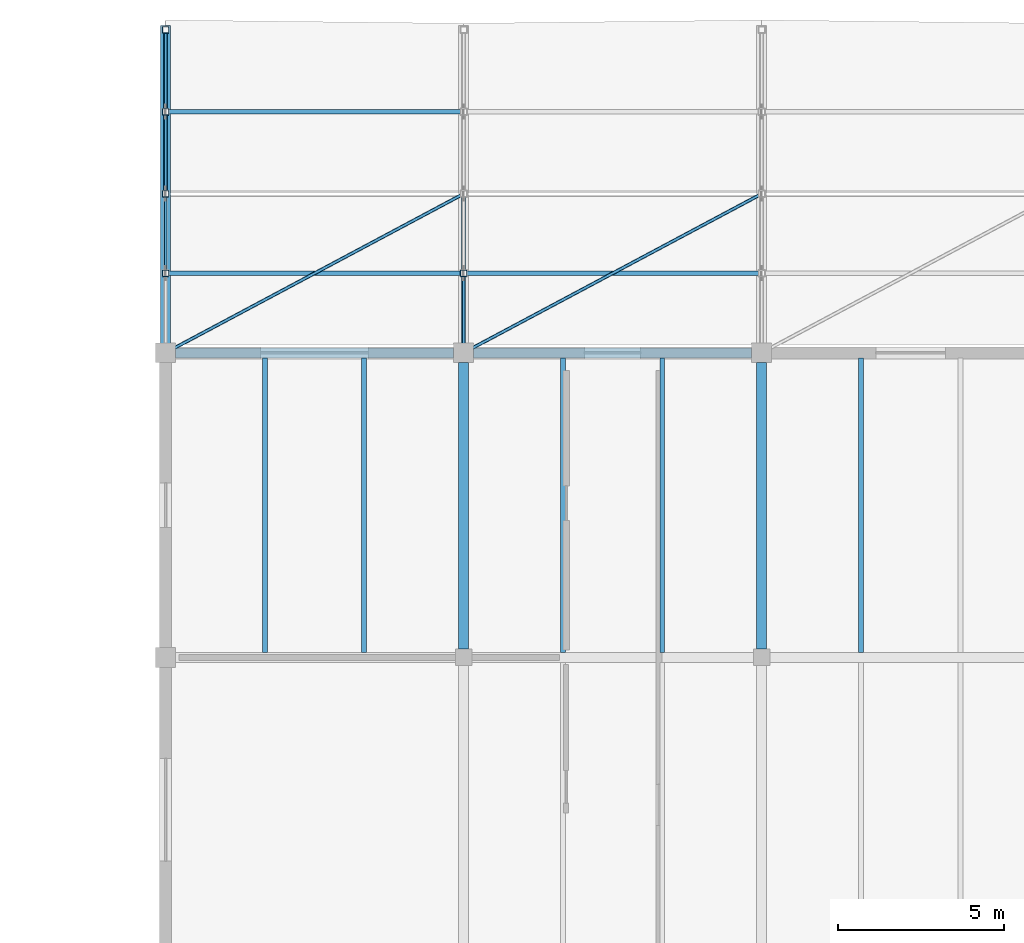
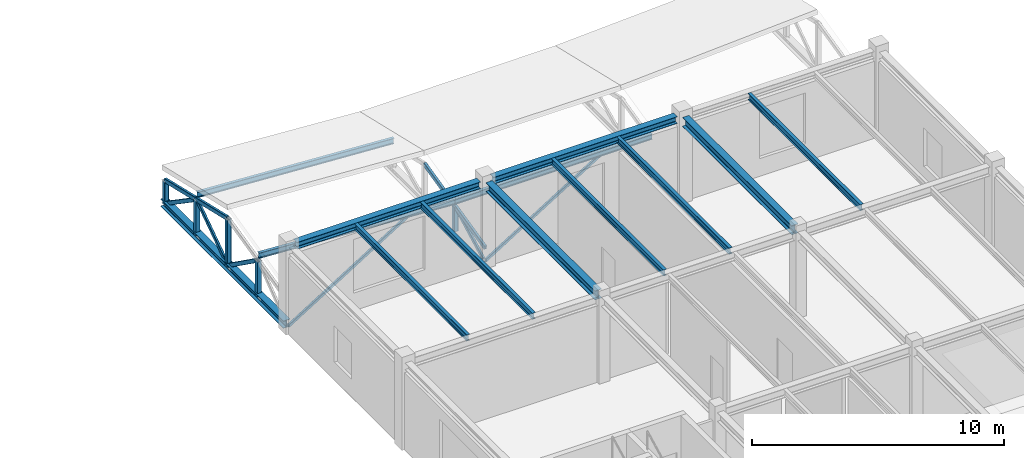
# One storey, part 25 of 55: 16 members, 10 beams.
"""IFC4 building model written with IfcOpenShell, lengths in metres."""

from ifc_helpers import new_model, si_unit, direction, frame, origin, origin_2d, place, context, subcontext, project, spatial, hollow_rectangle, i_section, extrude, material, material_profile, profile_set, type_object, element, save


model = new_model("IFC4")

# Units and contexts
model_context = context("Model", 3, precision=1e-05, world=origin(), true_north=direction((0.0, 1.0)))
body_context = subcontext(model_context, "Body", "Model", "MODEL_VIEW")
ifc_project = project(units=[si_unit("LENGTHUNIT", "METRE"), si_unit("AREAUNIT", "SQUARE_METRE"), si_unit("VOLUMEUNIT", "CUBIC_METRE"), si_unit("PLANEANGLEUNIT", "RADIAN"), si_unit("MASSUNIT", "GRAM", prefix="KILO")], contexts=[model_context])

# Site, building, storey
site_placement = place(None, origin())
site = spatial("IfcSite", under=ifc_project, at=site_placement, CompositionType="ELEMENT")
building_placement = place(site_placement, origin())
building = spatial("IfcBuilding", under=site, at=building_placement, Name="Bozkorgan Art Gallery", CompositionType="ELEMENT")
storey_placement = place(building_placement, frame((0.0, 0.0, 15.0)))
storey = spatial("IfcBuildingStorey", under=building, at=storey_placement, Name="L03", CompositionType="ELEMENT", Elevation=15.0)

# Beams
ifc_material = material(Name="Steel S355J2", Category="steel")
ifc_material_profile_1 = material_profile(ifc_material, i_section(OverallWidth=0.300048828125, OverallDepth=0.43994140625, WebThickness=0.011474609375, FlangeThickness=0.02099609375, FilletRadius=0.027099609375, at=origin_2d()), Name="HEA 450")
ifc_profile_set_1 = profile_set([ifc_material_profile_1], Name="Steel S355J2")
beam_type_1 = type_object("IfcBeamType", Name="BEAM-BM-76", PredefinedType="BEAM", material=ifc_profile_set_1)
for number, where, z_axis, x_axis, name in (
    (1, (146.0, 93.85009765625, 3.9599609375), (0.0, 1.0, 0.0), (-1.0, 0.0, 0.0), "V5 L03 beam Y (146, 93.6-102.8)"),
    (2, (155.0, 93.85009765625, 3.9599609375), (0.0, 1.0, 0.0), (-1.0, 0.0, 0.0), "V5 L03 beam Y (155, 93.6-102.8)"),
):
    element("IfcBeam", number, at=place(storey_placement, frame(where, z_axis=z_axis, x_axis=x_axis)), inside=storey, type_object=beam_type_1, Name=name, PredefinedType="BEAM", context=body_context, shape_type="SweptSolid", body=[
        extrude(i_section(OverallWidth=0.300048828125, OverallDepth=0.43994140625, WebThickness=0.011474609375, FlangeThickness=0.02099609375, FilletRadius=0.027099609375, at=origin_2d()), origin(), (0.0, 0.0, 1.0), 8.64990234375),
    ])
ifc_material_profile_2 = material_profile(ifc_material, i_section(OverallWidth=0.14990234375, OverallDepth=0.300048828125, WebThickness=0.007080078125, FlangeThickness=0.0107421875, FilletRadius=0.014892578125, at=origin_2d()), Name="IPE 300")
ifc_profile_set_2 = profile_set([ifc_material_profile_2], Name="Steel S355J2")
beam_type_2 = type_object("IfcBeamType", Name="BEAM-JS-88", PredefinedType="JOIST", material=ifc_profile_set_2)
for number, where, z_axis, x_axis, name in (
    (3, (140.0, 93.75, 4.030029296875), (0.0, 1.0, 0.0), (-1.0, 0.0, 0.0), "V5 L03 secondary joist (137-146, 93.6-102.8) #1"),
    (4, (143.0, 93.75, 4.030029296875), (0.0, 1.0, 0.0), (-1.0, 0.0, 0.0), "V5 L03 secondary joist (137-146, 93.6-102.8) #2"),
    (5, (149.0, 93.75, 4.030029296875), (0.0, 1.0, 0.0), (-1.0, 0.0, 0.0), "V5 L03 secondary joist (146-155, 93.6-102.8) #1"),
    (6, (152.0, 93.75, 4.030029296875), (0.0, 1.0, 0.0), (-1.0, 0.0, 0.0), "V5 L03 secondary joist (146-155, 93.6-102.8) #2"),
    (7, (158.0, 93.75, 4.030029296875), (0.0, 1.0, 0.0), (-1.0, 0.0, 0.0), "V5 L03 secondary joist (155-164, 93.6-102.8) #1"),
):
    element("IfcBeam", number, at=place(storey_placement, frame(where, z_axis=z_axis, x_axis=x_axis)), inside=storey, type_object=beam_type_2, Name=name, PredefinedType="JOIST", context=body_context, shape_type="SweptSolid", body=[
        extrude(i_section(OverallWidth=0.14990234375, OverallDepth=0.300048828125, WebThickness=0.007080078125, FlangeThickness=0.0107421875, FilletRadius=0.014892578125, at=origin_2d()), origin(), (0.0, 0.0, 1.0), 8.89990234375),
    ])
ifc_material_profile_3 = material_profile(ifc_material, i_section(OverallWidth=0.300048828125, OverallDepth=0.330078125, WebThickness=0.009521484375, FlangeThickness=0.0166015625, FilletRadius=0.027099609375, at=origin_2d()), Name="HEA 340")
ifc_profile_set_3 = profile_set([ifc_material_profile_3], Name="Steel S355J2")
beam_type_3 = type_object("IfcBeamType", Name="BEAM-SP-91", PredefinedType="SPANDREL", material=ifc_profile_set_3)
for number, where, z_axis, x_axis, name in (
    (8, (137.300048828125, 102.800048828125, 4.014892578125), (1.0, 0.0, 0.0), (0.0, 1.0, 0.0), "V5 L03 spandrel X (137-146, 102.8)"),
    (9, (146.300048828125, 102.800048828125, 4.014892578125), (1.0, 0.0, 0.0), (0.0, 1.0, 0.0), "V5 L03 spandrel X (146-155, 102.8)"),
):
    element("IfcBeam", number, at=place(storey_placement, frame(where, z_axis=z_axis, x_axis=x_axis)), inside=storey, type_object=beam_type_3, Name=name, PredefinedType="SPANDREL", context=body_context, shape_type="SweptSolid", body=[
        extrude(i_section(OverallWidth=0.300048828125, OverallDepth=0.330078125, WebThickness=0.009521484375, FlangeThickness=0.0166015625, FilletRadius=0.027099609375, at=origin_2d()), origin(), (0.0, 0.0, 1.0), 8.39990234375),
    ])
ifc_material_profile_4 = material_profile(ifc_material, i_section(OverallWidth=0.300048828125, OverallDepth=0.360107421875, WebThickness=0.012451171875, FlangeThickness=0.0224609375, FilletRadius=0.027099609375, at=origin_2d()), Name="HEB 360")
ifc_profile_set_4 = profile_set([ifc_material_profile_4], Name="Steel S355J2")
beam_type_4 = type_object("IfcBeamType", Name="BEAM-TB-47", PredefinedType="BEAM", material=ifc_profile_set_4)
beam_placement = place(storey_placement, frame((137.0, 102.949951171875, 0.179931640625), z_axis=(0.0, 1.0, 0.0), x_axis=(-1.0, 0.0, 0.0)))
element("IfcBeam", 10, at=beam_placement, inside=storey, type_object=beam_type_4, Name="ROOF-V5-STEP3 roof truss 1 bottom chord", PredefinedType="BEAM", context=body_context, shape_type="SweptSolid", body=[
    extrude(i_section(OverallWidth=0.300048828125, OverallDepth=0.360107421875, WebThickness=0.012451171875, FlangeThickness=0.0224609375, FilletRadius=0.027099609375, at=origin_2d()), origin(), (0.0, 0.0, 1.0), 9.739990234375),
])

# Members
ifc_material_profile_5 = material_profile(ifc_material, i_section(OverallWidth=0.135009765625, OverallDepth=0.27001953125, WebThickness=0.006591796875, FlangeThickness=0.01025390625, FilletRadius=0.014892578125, at=origin_2d()), Name="IPE 270")
ifc_profile_set_5 = profile_set([ifc_material_profile_5], Name="Steel S355J2")
member_type_1 = type_object("IfcMemberType", Name="MEMBER-PR-57", PredefinedType="PURLIN", material=ifc_profile_set_5)
for number, where, z_axis, x_axis, name in (
    (11, (137.0, 105.199951171875, 2.12939453125), (0.998287793766, 0.0, -0.058493425416), (0.0, 1.0, 0.0), "ROOF-V5-STEP3 roof purlin 1S"),
    (12, (137.0, 110.074951171875, 2.11181640625), (0.998287793766, 0.0, -0.058493425416), (0.0, 1.0, 0.0), "ROOF-V5-STEP3 roof purlin 1N"),
):
    element("IfcMember", number, at=place(storey_placement, frame(where, z_axis=z_axis, x_axis=x_axis)), inside=storey, type_object=member_type_1, Name=name, PredefinedType="PURLIN", context=body_context, shape_type="SweptSolid", body=[
        extrude(i_section(OverallWidth=0.135009765625, OverallDepth=0.27001953125, WebThickness=0.006591796875, FlangeThickness=0.01025390625, FilletRadius=0.014892578125, at=origin_2d()), origin(), (0.0, 0.0, 1.0), 9.015380859375),
    ])
member_1_placement = place(storey_placement, frame((146.0, 105.199951171875, 1.60205078125), z_axis=(1.0, 0.0, 0.0), x_axis=(0.0, 1.0, 0.0)))
element("IfcMember", 13, at=member_1_placement, inside=storey, type_object=member_type_1, Name="ROOF-V5-STEP3 roof purlin 2S", PredefinedType="PURLIN", context=body_context, shape_type="SweptSolid", body=[
    extrude(i_section(OverallWidth=0.135009765625, OverallDepth=0.27001953125, WebThickness=0.006591796875, FlangeThickness=0.01025390625, FilletRadius=0.014892578125, at=origin_2d()), origin(), (0.0, 0.0, 1.0), 9.0),
])
ifc_material_profile_6 = material_profile(ifc_material, hollow_rectangle(XDim=0.1201171875, YDim=0.199951171875, WallThickness=0.008056640625, InnerFilletRadius=0.011962890625, OuterFilletRadius=0.02001953125, at=origin_2d()), Name="RHS 200x120x8")
ifc_profile_set_6 = profile_set([ifc_material_profile_6], Name="Steel S355J2")
member_type_2 = type_object("IfcMemberType", Name="MEMBER-TC-48", PredefinedType="CHORD", material=ifc_profile_set_6)
member_2_placement = place(storey_placement, frame((137.0, 107.60009765625, 2.457275390625), z_axis=(0.0, 0.973583795397, -0.228330009722), x_axis=(-1.0, 0.0, 0.0)))
element("IfcMember", 14, at=member_2_placement, inside=storey, type_object=member_type_2, Name="ROOF-V5-STEP3 roof truss 1 north top chord", PredefinedType="CHORD", context=body_context, shape_type="SweptSolid", body=[
    extrude(hollow_rectangle(XDim=0.1201171875, YDim=0.199951171875, WallThickness=0.008056640625, InnerFilletRadius=0.011962890625, OuterFilletRadius=0.02001953125, at=origin_2d()), origin(), (0.0, 0.0, 1.0), 5.084228515625),
])
member_3_placement = place(storey_placement, frame((146.0, 102.800048828125, 0.80419921875), z_axis=(0.0, 0.973583811685, 0.228329940272), x_axis=(-1.0, 0.0, 0.0)))
element("IfcMember", 15, at=member_3_placement, inside=storey, type_object=member_type_2, Name="ROOF-V5-STEP3 roof truss 2 south top chord", PredefinedType="CHORD", context=body_context, shape_type="SweptSolid", body=[
    extrude(hollow_rectangle(XDim=0.1201171875, YDim=0.199951171875, WallThickness=0.008056640625, InnerFilletRadius=0.011962890625, OuterFilletRadius=0.02001953125, at=origin_2d()), origin(), (0.0, 0.0, 1.0), 4.93017578125),
])
ifc_material_profile_7 = material_profile(ifc_material, hollow_rectangle(XDim=0.199951171875, YDim=0.199951171875, WallThickness=0.010009765625, InnerFilletRadius=0.014892578125, OuterFilletRadius=0.02490234375, at=origin_2d()), Name="SHS 200x200x10")
ifc_profile_set_7 = profile_set([ifc_material_profile_7], Name="Steel S355J2")
member_type_3 = type_object("IfcMemberType", Name="MEMBER-TP-32", PredefinedType="POST", material=ifc_profile_set_7)
member_4_placement = place(storey_placement, frame((137.0, 105.199951171875, 0.179931640625), z_axis=(0.0, 0.0, 1.0), x_axis=(1.0, 0.0, 0.0)))
element("IfcMember", 16, at=member_4_placement, inside=storey, type_object=member_type_3, Name="ROOF-V5-STEP3 roof truss 1 post 1", PredefinedType="POST", context=body_context, shape_type="SweptSolid", body=[
    extrude(hollow_rectangle(XDim=0.199951171875, YDim=0.199951171875, WallThickness=0.010009765625, InnerFilletRadius=0.014892578125, OuterFilletRadius=0.02490234375, at=origin_2d()), origin(), (0.0, 0.0, 1.0), 1.71435546875),
])
member_5_placement = place(storey_placement, frame((137.0, 107.60009765625, 0.179931640625), z_axis=(0.0, 0.0, 1.0), x_axis=(1.0, 0.0, 0.0)))
element("IfcMember", 17, at=member_5_placement, inside=storey, type_object=member_type_3, Name="ROOF-V5-STEP3 roof truss 1 post 2", PredefinedType="POST", context=body_context, shape_type="SweptSolid", body=[
    extrude(hollow_rectangle(XDim=0.199951171875, YDim=0.199951171875, WallThickness=0.010009765625, InnerFilletRadius=0.014892578125, OuterFilletRadius=0.02490234375, at=origin_2d()), origin(), (0.0, 0.0, 1.0), 2.27734375),
])
member_6_placement = place(storey_placement, frame((137.0, 110.074951171875, 0.179931640625), z_axis=(0.0, 0.0, 1.0), x_axis=(1.0, 0.0, 0.0)))
element("IfcMember", 18, at=member_6_placement, inside=storey, type_object=member_type_3, Name="ROOF-V5-STEP3 roof truss 1 post 3", PredefinedType="POST", context=body_context, shape_type="SweptSolid", body=[
    extrude(hollow_rectangle(XDim=0.199951171875, YDim=0.199951171875, WallThickness=0.010009765625, InnerFilletRadius=0.014892578125, OuterFilletRadius=0.02490234375, at=origin_2d()), origin(), (0.0, 0.0, 1.0), 1.69677734375),
])
member_7_placement = place(storey_placement, frame((137.0, 112.550048828125, 0.179931640625), z_axis=(0.0, 0.0, 1.0), x_axis=(1.0, 0.0, 0.0)))
element("IfcMember", 19, at=member_7_placement, inside=storey, type_object=member_type_3, Name="ROOF-V5-STEP3 roof truss 1 post 4", PredefinedType="POST", context=body_context, shape_type="SweptSolid", body=[
    extrude(hollow_rectangle(XDim=0.199951171875, YDim=0.199951171875, WallThickness=0.010009765625, InnerFilletRadius=0.014892578125, OuterFilletRadius=0.02490234375, at=origin_2d()), origin(), (0.0, 0.0, 1.0), 1.116455078125),
])
member_8_placement = place(storey_placement, frame((146.0, 105.199951171875, 0.179931640625), z_axis=(0.0, 0.0, 1.0), x_axis=(1.0, 0.0, 0.0)))
element("IfcMember", 20, at=member_8_placement, inside=storey, type_object=member_type_3, Name="ROOF-V5-STEP3 roof truss 2 post 1", PredefinedType="POST", context=body_context, shape_type="SweptSolid", body=[
    extrude(hollow_rectangle(XDim=0.199951171875, YDim=0.199951171875, WallThickness=0.010009765625, InnerFilletRadius=0.014892578125, OuterFilletRadius=0.02490234375, at=origin_2d()), origin(), (0.0, 0.0, 1.0), 1.18701171875),
])
ifc_material_profile_8 = material_profile(ifc_material, hollow_rectangle(XDim=0.10009765625, YDim=0.179931640625, WallThickness=0.008056640625, InnerFilletRadius=0.011962890625, OuterFilletRadius=0.02001953125, at=origin_2d()), Name="RHS 180x100x8")
ifc_profile_set_8 = profile_set([ifc_material_profile_8], Name="Steel S355J2")
member_type_4 = type_object("IfcMemberType", Name="MEMBER-TW-22", PredefinedType="BRACE", material=ifc_profile_set_8)
member_9_placement = place(storey_placement, frame((137.0, 105.199951171875, 1.894287109375), z_axis=(0.0, 0.813739063924, -0.581230363836), x_axis=(-1.0, 0.0, 0.0)))
element("IfcMember", 21, at=member_9_placement, inside=storey, type_object=member_type_4, Name="ROOF-V5-STEP3 roof truss 1 diagonal 2", PredefinedType="BRACE", context=body_context, shape_type="SweptSolid", body=[
    extrude(hollow_rectangle(XDim=0.10009765625, YDim=0.179931640625, WallThickness=0.008056640625, InnerFilletRadius=0.011962890625, OuterFilletRadius=0.02001953125, at=origin_2d()), origin(), (0.0, 0.0, 1.0), 2.949462890625),
])
member_10_placement = place(storey_placement, frame((137.0, 107.60009765625, 0.179931640625), z_axis=(0.0, 0.824770050354, 0.565468269701), x_axis=(-1.0, 0.0, 0.0)))
element("IfcMember", 22, at=member_10_placement, inside=storey, type_object=member_type_4, Name="ROOF-V5-STEP3 roof truss 1 diagonal 3", PredefinedType="BRACE", context=body_context, shape_type="SweptSolid", body=[
    extrude(hollow_rectangle(XDim=0.10009765625, YDim=0.179931640625, WallThickness=0.008056640625, InnerFilletRadius=0.011962890625, OuterFilletRadius=0.02001953125, at=origin_2d()), origin(), (0.0, 0.0, 1.0), 3.000732421875),
])
member_11_placement = place(storey_placement, frame((137.0, 110.074951171875, 1.876708984375), z_axis=(0.0, 0.824796063699, -0.565430325775), x_axis=(-1.0, 0.0, 0.0)))
element("IfcMember", 23, at=member_11_placement, inside=storey, type_object=member_type_4, Name="ROOF-V5-STEP3 roof truss 1 diagonal 4", PredefinedType="BRACE", context=body_context, shape_type="SweptSolid", body=[
    extrude(hollow_rectangle(XDim=0.10009765625, YDim=0.179931640625, WallThickness=0.008056640625, InnerFilletRadius=0.011962890625, OuterFilletRadius=0.02001953125, at=origin_2d()), origin(), (0.0, 0.0, 1.0), 3.0009765625),
])
member_12_placement = place(storey_placement, frame((146.0, 102.949951171875, 0.179931640625), z_axis=(0.0, 0.884463972224, 0.466608488819), x_axis=(-1.0, 0.0, 0.0)))
element("IfcMember", 24, at=member_12_placement, inside=storey, type_object=member_type_4, Name="ROOF-V5-STEP3 roof truss 2 diagonal 1", PredefinedType="BRACE", context=body_context, shape_type="SweptSolid", body=[
    extrude(hollow_rectangle(XDim=0.10009765625, YDim=0.179931640625, WallThickness=0.008056640625, InnerFilletRadius=0.011962890625, OuterFilletRadius=0.02001953125, at=origin_2d()), origin(), (0.0, 0.0, 1.0), 2.5439453125),
])
ifc_material_profile_9 = material_profile(ifc_material, hollow_rectangle(XDim=0.10009765625, YDim=0.14990234375, WallThickness=0.008056640625, InnerFilletRadius=0.011962890625, OuterFilletRadius=0.02001953125, at=origin_2d()), Name="RHS 150x100x8")
ifc_profile_set_9 = profile_set([ifc_material_profile_9], Name="Steel S355J2")
member_type_5 = type_object("IfcMemberType", Name="MEMBER-WB-10", PredefinedType="BRACE", material=ifc_profile_set_9)
for number, where, z_axis, x_axis, name in (
    (25, (137.0, 102.800048828125, 0.179931640625), (0.882350953462, 0.47059196224, 0.0), (-0.47059196224, 0.882350953462, 0.0), "ROOF-V5-STEP3 roof diaphragm wind brace 1"),
    (26, (146.0, 102.800048828125, 0.179931640625), (0.882350953462, 0.47059196224, 0.0), (-0.47059196224, 0.882350953462, 0.0), "ROOF-V5-STEP3 roof diaphragm wind brace 2"),
):
    element("IfcMember", number, at=place(storey_placement, frame(where, z_axis=z_axis, x_axis=x_axis)), inside=storey, type_object=member_type_5, Name=name, PredefinedType="BRACE", context=body_context, shape_type="SweptSolid", body=[
        extrude(hollow_rectangle(XDim=0.10009765625, YDim=0.14990234375, WallThickness=0.008056640625, InnerFilletRadius=0.011962890625, OuterFilletRadius=0.02001953125, at=origin_2d()), origin(), (0.0, 0.0, 1.0), 10.199951171875),
    ])

save(model, "model.ifc")
